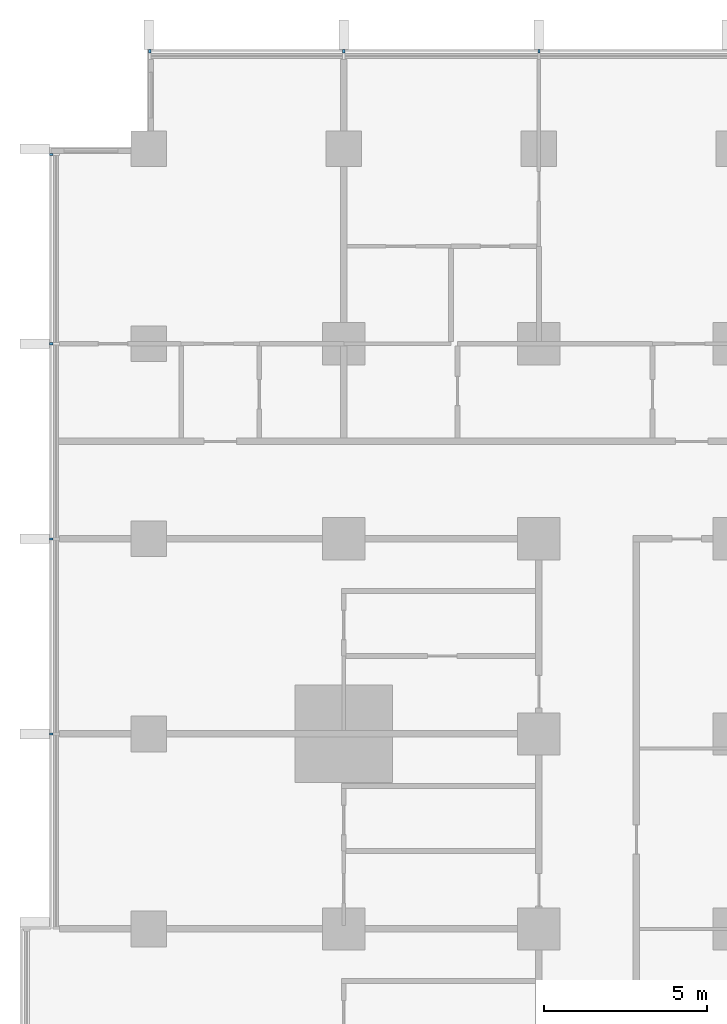
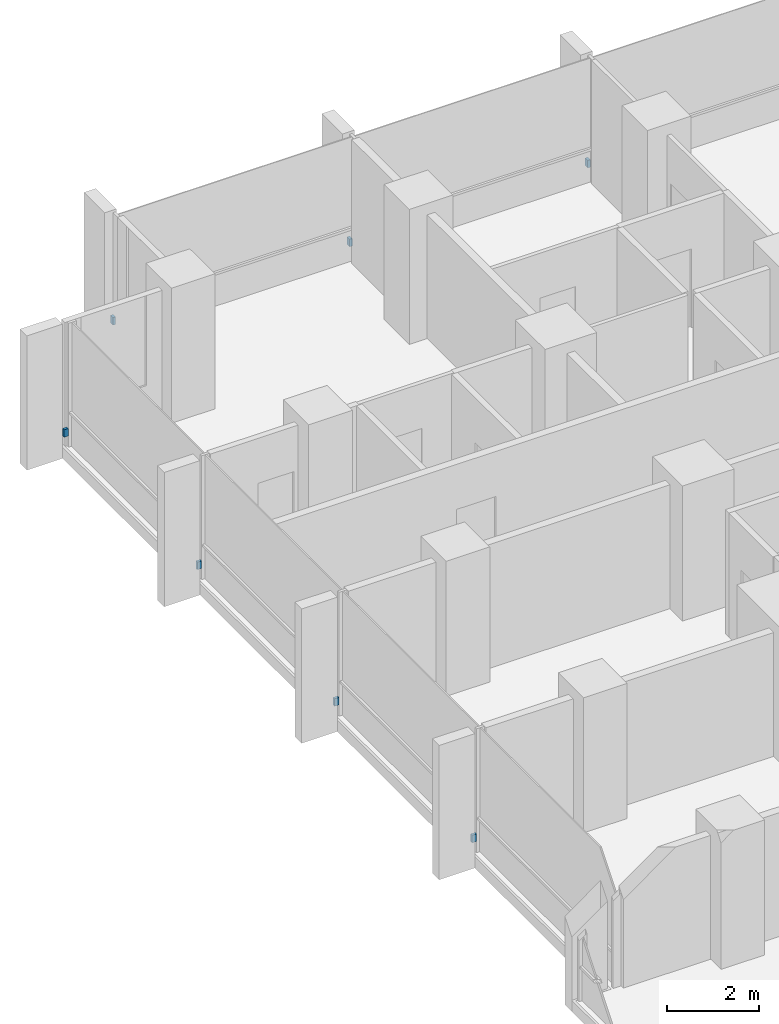
# One storey, part 16 of 18: 7 discrete accessories.
"""IFC4 building model written with IfcOpenShell, lengths in metres."""

from ifc_helpers import new_model, si_unit, direction, frame, origin, origin_2d, place, context, subcontext, project, spatial, rectangle, extrude, material, type_object, element, save


model = new_model("IFC4")

# Units and contexts
model_context = context("Model", 3, precision=1e-05, world=origin(), true_north=direction((0.0, 1.0)))
body_context = subcontext(model_context, "Body", "Model", "MODEL_VIEW")
ifc_project = project(units=[si_unit("LENGTHUNIT", "METRE"), si_unit("AREAUNIT", "SQUARE_METRE"), si_unit("VOLUMEUNIT", "CUBIC_METRE"), si_unit("PLANEANGLEUNIT", "RADIAN"), si_unit("MASSUNIT", "GRAM", prefix="KILO")], contexts=[model_context])

# Site, building, storey
site_placement = place(None, origin())
site = spatial("IfcSite", under=ifc_project, at=site_placement, CompositionType="ELEMENT")
building_placement = place(site_placement, origin())
building = spatial("IfcBuilding", under=site, at=building_placement, Name="Finial Court Residences", CompositionType="ELEMENT")
storey_placement = place(building_placement, frame((0.0, 0.0, 68.5)))
storey = spatial("IfcBuildingStorey", under=building, at=storey_placement, Name="L16", CompositionType="ELEMENT", Elevation=68.5)

# Discrete accessories
ifc_material = material(Name="Stainless steel 316", Category="steel")
discrete_accessory_type = type_object("IfcDiscreteAccessoryType", Name="Fin bracket, stainless steel 65 x 110 x 200", PredefinedType="BRACKET", material=ifc_material)
for number, where, z_axis, x_axis, name in (
    (1, (-22.467529296875, 28.5048828125, 0.2998046875), (0.0, 0.0, 1.0), (1.0, 0.0, 0.0), "E-L16-FIN-N1-BRK"),
    (2, (-16.5, 28.5048828125, 0.2998046875), (0.0, 0.0, 1.0), (1.0, 0.0, 0.0), "E-L16-FIN-N2-BRK"),
    (3, (-10.5, 28.5048828125, 0.2998046875), (0.0, 0.0, 1.0), (1.0, 0.0, 0.0), "E-L16-FIN-N3-BRK"),
):
    element("IfcDiscreteAccessory", number, at=place(storey_placement, frame(where, z_axis=z_axis, x_axis=x_axis)), inside=storey, type_object=discrete_accessory_type, Name=name, PredefinedType="BRACKET", context=body_context, shape_type="SweptSolid", body=[
        extrude(rectangle(XDim=0.06494140625, YDim=0.110107421875, at=origin_2d()), origin(), (0.0, 0.0, 1.0), 0.199951171875),
    ])
for number, where, z_axis, x_axis, name in (
    (4, (-25.5048828125, 7.5, 0.2998046875), (0.0, 0.0, 1.0), (1.0, 0.0, 0.0), "E-L16-FIN-W31-BRK"),
    (5, (-25.5048828125, 13.5, 0.2998046875), (0.0, 0.0, 1.0), (1.0, 0.0, 0.0), "E-L16-FIN-W32-BRK"),
    (6, (-25.5048828125, 19.5, 0.2998046875), (0.0, 0.0, 1.0), (1.0, 0.0, 0.0), "E-L16-FIN-W33-BRK"),
    (7, (-25.5048828125, 25.3173828125, 0.2998046875), (0.0, 0.0, 1.0), (1.0, 0.0, 0.0), "E-L16-FIN-W34-BRK"),
):
    element("IfcDiscreteAccessory", number, at=place(storey_placement, frame(where, z_axis=z_axis, x_axis=x_axis)), inside=storey, type_object=discrete_accessory_type, Name=name, PredefinedType="BRACKET", context=body_context, shape_type="SweptSolid", body=[
        extrude(rectangle(XDim=0.110107421875, YDim=0.06494140625, at=origin_2d()), origin(), (0.0, 0.0, 1.0), 0.199951171875),
    ])

save(model, "model.ifc")
